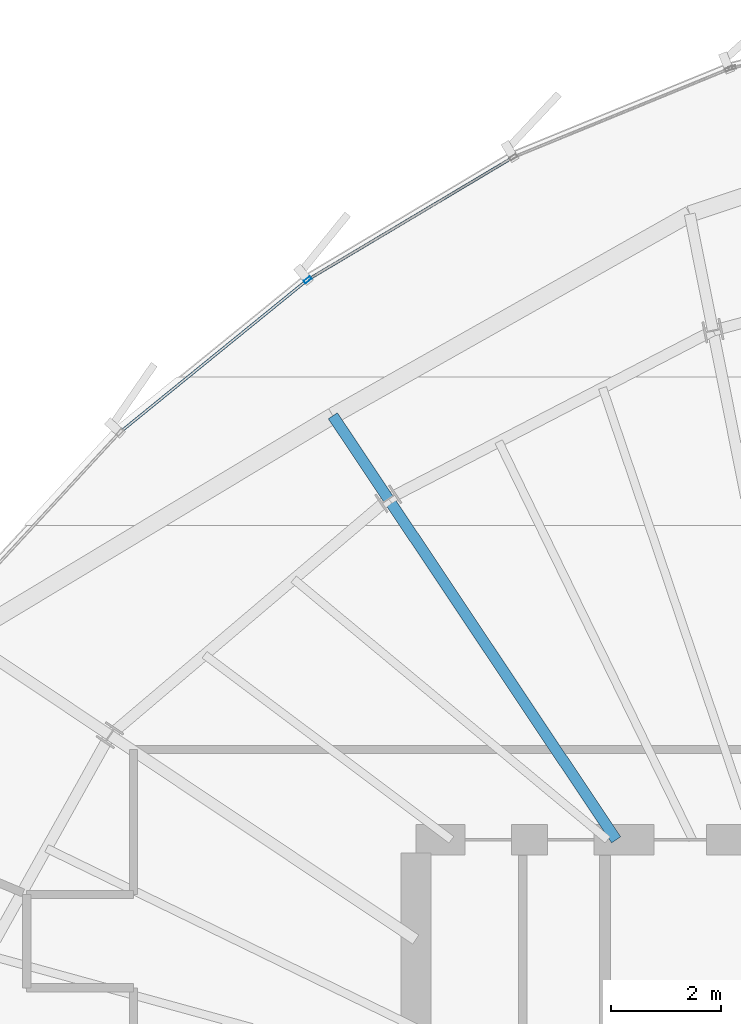
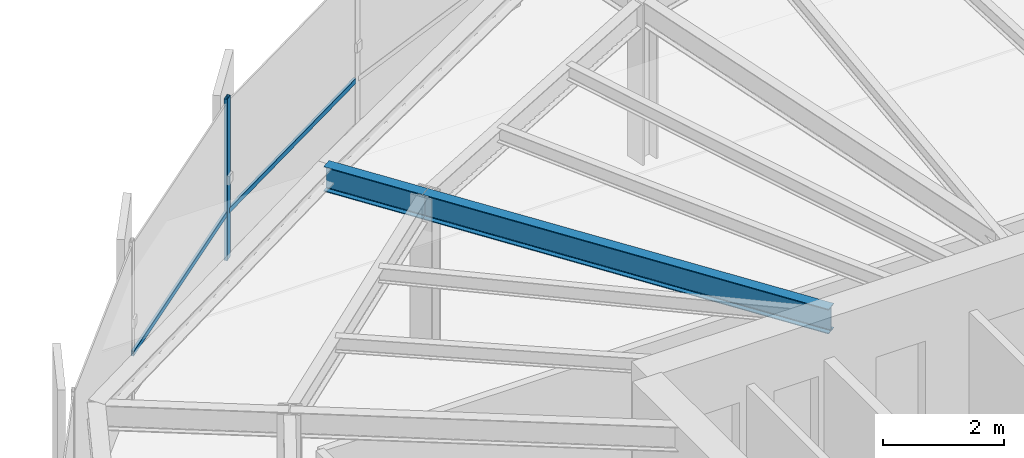
# One storey, part 20 of 34: 3 members, 2 beams, 1 element without a shape of its own.
"""IFC4 building model written with IfcOpenShell, lengths in metres."""

from ifc_helpers import new_model, si_unit, direction, frame, origin, origin_2d, place, context, subcontext, project, spatial, hollow_rectangle, i_section, extrude, source, transform, mapped, material, layer, layer_set, material_profile, profile_set, type_object, element, aggregate, save


model = new_model("IFC4")

# Units and contexts
model_context = context("Model", 3, precision=1e-05, world=origin(), true_north=direction((0.0, 1.0)))
body_context = subcontext(model_context, "Body", "Model", "MODEL_VIEW")
ifc_project = project(units=[si_unit("LENGTHUNIT", "METRE"), si_unit("AREAUNIT", "SQUARE_METRE"), si_unit("VOLUMEUNIT", "CUBIC_METRE"), si_unit("PLANEANGLEUNIT", "RADIAN"), si_unit("MASSUNIT", "GRAM", prefix="KILO"), si_unit("THERMODYNAMICTEMPERATUREUNIT", "KELVIN")], contexts=[model_context])

# Site, building, storey
site_placement = place(None, origin())
site = spatial("IfcSite", under=ifc_project, at=site_placement, CompositionType="ELEMENT")
building_placement = place(site_placement, origin())
building = spatial("IfcBuilding", under=site, at=building_placement, Name="Kethvar Cultural Tower", CompositionType="ELEMENT")
storey_placement = place(building_placement, frame((0.0, 0.0, 207.89990234375)))
storey = spatial("IfcBuildingStorey", under=building, at=storey_placement, Name="L54", CompositionType="ELEMENT", Elevation=207.89990234375)

# Beams
ifc_material_1 = material(Name="Steel S355J2", Category="steel")
ifc_material_profile_1 = material_profile(ifc_material_1, i_section(OverallWidth=0.199951171875, OverallDepth=0.5, WebThickness=0.01025390625, FlangeThickness=0.01611328125, FilletRadius=0.02099609375, at=origin_2d()), Name="Steel S355J2 — IPE500")
ifc_profile_set_1 = profile_set([ifc_material_profile_1], Name="Steel S355J2 — IPE500")
beam_type = type_object("IfcBeamType", Name="BM-IPE500", PredefinedType="BEAM", material=ifc_profile_set_1)
shared_shape_1 = source(origin(), body_context, "Body", "SweptSolid", [
    extrude(i_section(OverallWidth=0.199951171875, OverallDepth=0.5, WebThickness=0.01025390625, FlangeThickness=0.01611328125, FilletRadius=0.02099609375, at=origin_2d()), origin(), (0.0, 0.0, 1.0), 7.481201171875),
])
beam_1_placement = place(storey_placement, frame((41.655029296875, 35.5, 3.008056640625), z_axis=(-0.55555842186, 0.831477504146, 0.0), x_axis=(-0.831477504146, -0.55555842186, 0.0)))
element("IfcBeam", 1, at=beam_1_placement, inside=storey, type_object=beam_type, Name="L54 Primary Radial Beam RB-06", PredefinedType="BEAM", context=body_context, shape_type="MappedRepresentation", body=[
    mapped(shared_shape_1, transform((0.0, 0.0, 0.0), scale=1.0)),
])
shared_shape_2 = source(origin(), body_context, "Body", "SweptSolid", [
    extrude(i_section(OverallWidth=0.199951171875, OverallDepth=0.5, WebThickness=0.01025390625, FlangeThickness=0.01611328125, FilletRadius=0.02099609375, at=origin_2d()), origin(), (0.0, 0.0, 1.0), 1.824462890625),
])
beam_2_placement = place(storey_placement, frame((37.498779296875, 41.720458984375, 3.008056640625), z_axis=(-0.555626307972, 0.831432141482, 0.0), x_axis=(-0.831432141482, -0.555626307972, 0.0)))
element("IfcBeam", 2, at=beam_2_placement, inside=storey, type_object=beam_type, Name="L54 Perimeter Cantilever Beam RC-06", PredefinedType="BEAM", context=body_context, shape_type="MappedRepresentation", body=[
    mapped(shared_shape_2, transform((0.0, 0.0, 0.0), scale=1.0)),
])

# Curtain wall, members
ifc_material_2 = material(Name="Aluminium 6063-T6", Category="aluminium")
ifc_layer = layer(ifc_material_2, 0.179931640625, Name="Aluminium 6063-T6", Category="aluminium")
ifc_layer_set = layer_set([ifc_layer], Name="Aluminium 6063-T6 (180 mm)")
curtain_wall_type = type_object("IfcCurtainWallType", Name="CW-SYS-04-Z34", PredefinedType="NOTDEFINED", material=ifc_layer_set)
curtain_wall_placement = place(storey_placement, origin())
curtain_wall = element("IfcCurtainWall", 3, at=curtain_wall_placement, inside=storey, type_object=curtain_wall_type, Name="L54 Curtain Wall Run 02", PredefinedType="NOTDEFINED")
ifc_material_profile_2 = material_profile(ifc_material_2, hollow_rectangle(XDim=0.06005859375, YDim=0.139892578125, WallThickness=0.0048828125, at=origin_2d()), Name="Aluminium 6063-T6 — RHS140x60x5")
ifc_profile_set_2 = profile_set([ifc_material_profile_2], Name="Aluminium 6063-T6 — RHS140x60x5")
member_type_1 = type_object("IfcMemberType", Name="CW-SYS-04-Z34-MUL", PredefinedType="MULLION", material=ifc_profile_set_2)
shared_shape_3 = source(origin(), body_context, "Body", "SweptSolid", [
    extrude(hollow_rectangle(XDim=0.06005859375, YDim=0.139892578125, WallThickness=0.0048828125, at=origin_2d()), origin(), (0.0, 0.0, 1.0), 3.260009765625),
])
member_1_placement = place(storey_placement, frame((36.02587890625, 45.7177734375, 0.0), z_axis=(0.0, 0.0, 1.0), x_axis=(0.630635172872, -0.776079428111, 0.0)))
member_1 = element("IfcMember", 4, at=member_1_placement, type_object=member_type_1, Name="CW-L54-R02 Mullion 3", PredefinedType="MULLION", context=body_context, shape_type="MappedRepresentation", body=[
    mapped(shared_shape_3, transform((0.0, 0.0, 0.0), scale=1.0)),
])
ifc_material_profile_3 = material_profile(ifc_material_2, hollow_rectangle(XDim=0.050048828125, YDim=0.10009765625, WallThickness=0.00390625, at=origin_2d()), Name="Aluminium 6063-T6 — RHS100x50x4")
ifc_profile_set_3 = profile_set([ifc_material_profile_3], Name="Aluminium 6063-T6 — RHS100x50x4")
member_type_2 = type_object("IfcMemberType", Name="CW-SYS-04-Z34-TRN", PredefinedType="USERDEFINED", material=ifc_profile_set_3)
shared_shape_4 = source(origin(), body_context, "Body", "SweptSolid", [
    extrude(hollow_rectangle(XDim=0.050048828125, YDim=0.10009765625, WallThickness=0.00390625, at=origin_2d()), origin(), (0.0, 0.0, 1.0), 4.30078125),
])
member_2_placement = place(storey_placement, frame((39.74365234375, 47.933837890625, 0.9501953125), z_axis=(-0.858867259289, -0.512198234009, 0.0), x_axis=(0.512198234009, -0.858867259289, 0.0)))
member_2 = element("IfcMember", 5, at=member_2_placement, type_object=member_type_2, Name="CW-L54-R02 Transom 2", ObjectType="TRANSOM", PredefinedType="USERDEFINED", context=body_context, shape_type="MappedRepresentation", body=[
    mapped(shared_shape_4, transform((0.0, 0.0, 0.0), scale=1.0)),
])
shared_shape_5 = source(origin(), body_context, "Body", "SweptSolid", [
    extrude(hollow_rectangle(XDim=0.050048828125, YDim=0.10009765625, WallThickness=0.00390625, at=origin_2d()), origin(), (0.0, 0.0, 1.0), 4.344482421875),
])
member_3_placement = place(storey_placement, frame((35.9921875, 45.690673828125, 0.9501953125), z_axis=(-0.776076181659, -0.630639168036, 0.0), x_axis=(0.630639168036, -0.776076181659, 0.0)))
member_3 = element("IfcMember", 6, at=member_3_placement, type_object=member_type_2, Name="CW-L54-R02 Transom 3", ObjectType="TRANSOM", PredefinedType="USERDEFINED", context=body_context, shape_type="MappedRepresentation", body=[
    mapped(shared_shape_5, transform((0.0, 0.0, 0.0), scale=1.0)),
])
aggregate(curtain_wall, [member_1, member_2, member_3])

save(model, "model.ifc")
